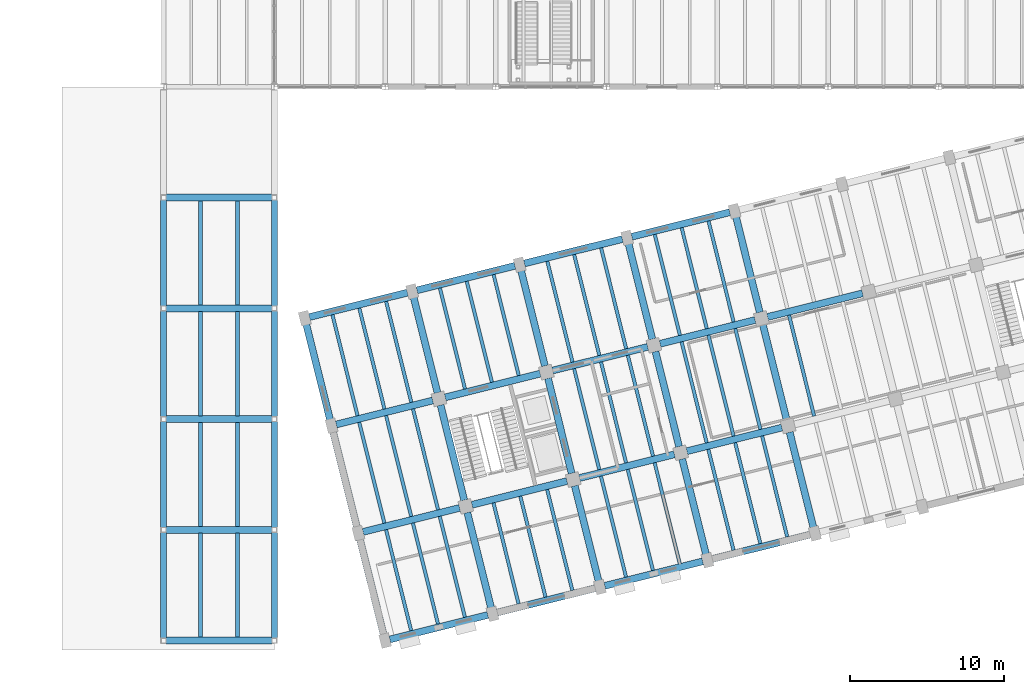
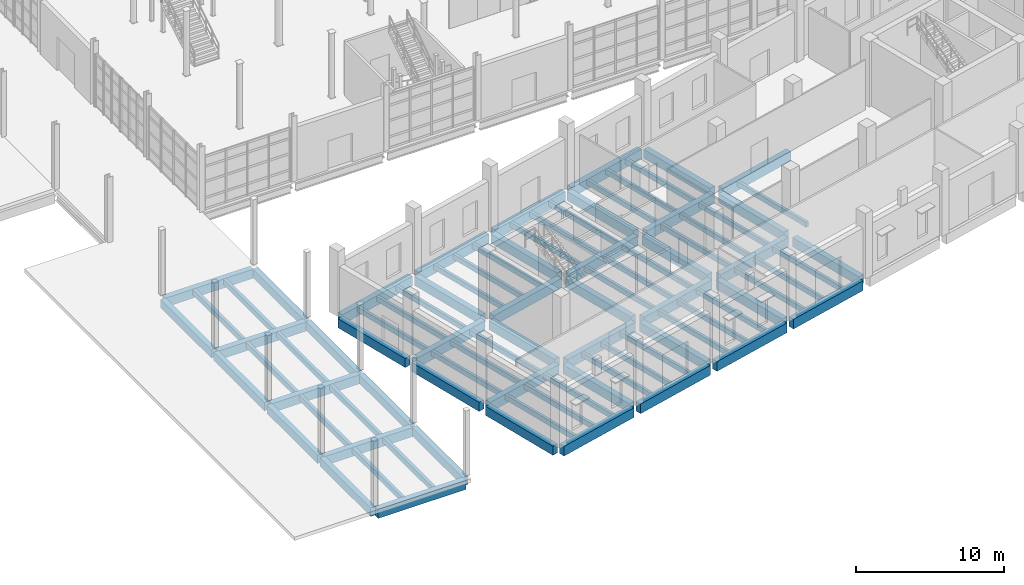
# One storey, part 18 of 79: 87 beams.
"""IFC4 building model written with IfcOpenShell, lengths in metres."""

from ifc_helpers import new_model, si_unit, direction, frame, origin, origin_2d, place, context, subcontext, project, spatial, rectangle, extrude, material, material_profile, profile_set, type_object, element, save


model = new_model("IFC4")

# Units and contexts
model_context = context("Model", 3, precision=1e-05, world=origin(), true_north=direction((0.0, 1.0)))
body_context = subcontext(model_context, "Body", "Model", "MODEL_VIEW")
ifc_project = project(units=[si_unit("LENGTHUNIT", "METRE"), si_unit("AREAUNIT", "SQUARE_METRE"), si_unit("VOLUMEUNIT", "CUBIC_METRE"), si_unit("PLANEANGLEUNIT", "RADIAN"), si_unit("MASSUNIT", "GRAM", prefix="KILO")], contexts=[model_context])

# Site, building, storey
site_placement = place(None, origin())
site = spatial("IfcSite", under=ifc_project, at=site_placement, CompositionType="ELEMENT")
building_placement = place(site_placement, origin())
building = spatial("IfcBuilding", under=site, at=building_placement, Name="Qiaolan Assembly House", CompositionType="ELEMENT")
storey_placement = place(building_placement, origin())
storey = spatial("IfcBuildingStorey", under=building, at=storey_placement, Name="L00", CompositionType="ELEMENT", Elevation=0.0)

# Beams
ifc_material = material(Name="Concrete C40/50", Category="concrete")
ifc_material_profile_1 = material_profile(ifc_material, rectangle(XDim=0.39990234375, YDim=0.699951171875, at=origin_2d()), Name="RCB 400x700")
ifc_profile_set_1 = profile_set([ifc_material_profile_1], Name="Concrete C40/50")
beam_type_1 = type_object("IfcBeamType", Name="BM-RC-400x700", PredefinedType="BEAM", material=ifc_profile_set_1)
beam_1_placement = place(storey_placement, frame((21.60009765625, 0.1650390625, -0.64990234375), z_axis=(0.0, 1.0, 0.0), x_axis=(-1.0, 0.0, 0.0)))
element("IfcBeam", 1, at=beam_1_placement, inside=storey, type_object=beam_type_1, Name="GB-05 beam BMY-PS-L00-00-00", PredefinedType="BEAM", context=body_context, shape_type="SweptSolid", body=[
    extrude(rectangle(XDim=0.39990234375, YDim=0.699951171875, at=origin_2d()), origin(), (0.0, 0.0, 1.0), 6.869873046875),
])
for number, where, z_axis, x_axis, name in (
    (2, (21.60009765625, 7.364990234375, -0.64990234375), (0.0, 1.0, 0.0), (-1.0, 0.0, 0.0), "GB-05 beam BMY-PS-L00-00-01"),
    (3, (21.60009765625, 14.56494140625, -0.64990234375), (0.0, 1.0, 0.0), (-1.0, 0.0, 0.0), "GB-05 beam BMY-PS-L00-00-02"),
    (4, (21.60009765625, 21.764892578125, -0.64990234375), (0.0, 1.0, 0.0), (-1.0, 0.0, 0.0), "GB-05 beam BMY-PS-L00-00-03"),
):
    element("IfcBeam", number, at=place(storey_placement, frame(where, z_axis=z_axis, x_axis=x_axis)), inside=storey, type_object=beam_type_1, Name=name, PredefinedType="BEAM", context=body_context, shape_type="SweptSolid", body=[
        extrude(rectangle(XDim=0.39990234375, YDim=0.699951171875, at=origin_2d()), origin(), (0.0, 0.0, 1.0), 6.8701171875),
    ])
beam_2_placement = place(storey_placement, frame((28.800048828125, 0.1650390625, -0.64990234375), z_axis=(0.0, 1.0, 0.0), x_axis=(-1.0, 0.0, 0.0)))
element("IfcBeam", 5, at=beam_2_placement, inside=storey, type_object=beam_type_1, Name="GB-05 beam BMY-PS-L00-01-00", PredefinedType="BEAM", context=body_context, shape_type="SweptSolid", body=[
    extrude(rectangle(XDim=0.39990234375, YDim=0.699951171875, at=origin_2d()), origin(), (0.0, 0.0, 1.0), 6.869873046875),
])
for number, where, z_axis, x_axis, name in (
    (6, (28.800048828125, 7.364990234375, -0.64990234375), (0.0, 1.0, 0.0), (-1.0, 0.0, 0.0), "GB-05 beam BMY-PS-L00-01-01"),
    (7, (28.800048828125, 14.56494140625, -0.64990234375), (0.0, 1.0, 0.0), (-1.0, 0.0, 0.0), "GB-05 beam BMY-PS-L00-01-02"),
    (8, (28.800048828125, 21.764892578125, -0.64990234375), (0.0, 1.0, 0.0), (-1.0, 0.0, 0.0), "GB-05 beam BMY-PS-L00-01-03"),
):
    element("IfcBeam", number, at=place(storey_placement, frame(where, z_axis=z_axis, x_axis=x_axis)), inside=storey, type_object=beam_type_1, Name=name, PredefinedType="BEAM", context=body_context, shape_type="SweptSolid", body=[
        extrude(rectangle(XDim=0.39990234375, YDim=0.699951171875, at=origin_2d()), origin(), (0.0, 0.0, 1.0), 6.8701171875),
    ])
ifc_material_profile_2 = material_profile(ifc_material, rectangle(XDim=0.449951171875, YDim=0.75, at=origin_2d()), Name="RCB 450x750")
ifc_profile_set_2 = profile_set([ifc_material_profile_2], Name="Concrete C40/50")
beam_type_2 = type_object("IfcBeamType", Name="BM-RC-450x750", PredefinedType="BEAM", material=ifc_profile_set_2)
for number, where, z_axis, x_axis, name in (
    (9, (35.923828125, 0.3056640625, -0.625), (-0.24191477664, 0.970297501204, 0.0), (-0.970297501204, -0.24191477664, 0.0), "GB-04 beam BMV-SE-L00-00-00"),
    (10, (34.181884765625, 7.291748046875, -0.625), (-0.24191477664, 0.970297501204, 0.0), (-0.970297501204, -0.24191477664, 0.0), "GB-04 beam BMV-SE-L00-00-01"),
):
    element("IfcBeam", number, at=place(storey_placement, frame(where, z_axis=z_axis, x_axis=x_axis)), inside=storey, type_object=beam_type_2, Name=name, PredefinedType="BEAM", context=body_context, shape_type="SweptSolid", body=[
        extrude(rectangle(XDim=0.449951171875, YDim=0.75, at=origin_2d()), origin(), (0.0, 0.0, 1.0), 6.56982421875),
    ])
beam_3_placement = place(storey_placement, frame((32.440185546875, 14.27783203125, -0.625), z_axis=(-0.241941038466, 0.970290953223, 0.0), x_axis=(-0.970290953223, -0.241941038466, 0.0)))
element("IfcBeam", 11, at=beam_3_placement, inside=storey, type_object=beam_type_2, Name="GB-04 beam BMV-SE-L00-00-02", PredefinedType="BEAM", context=body_context, shape_type="SweptSolid", body=[
    extrude(rectangle(XDim=0.449951171875, YDim=0.75, at=origin_2d()), origin(), (0.0, 0.0, 1.0), 6.5703125),
])
beam_4_placement = place(storey_placement, frame((42.909912109375, 2.04736328125, -0.625), z_axis=(-0.241914070503, 0.970297677258, 0.0), x_axis=(-0.970297677258, -0.241914070503, 0.0)))
element("IfcBeam", 12, at=beam_4_placement, inside=storey, type_object=beam_type_2, Name="GB-04 beam BMV-SE-L00-01-00", PredefinedType="BEAM", context=body_context, shape_type="SweptSolid", body=[
    extrude(rectangle(XDim=0.449951171875, YDim=0.75, at=origin_2d()), origin(), (0.0, 0.0, 1.0), 6.469970703125),
])
beam_5_placement = place(storey_placement, frame((41.143798828125, 9.130615234375, -0.625), z_axis=(-0.241913342219, 0.970297858833, 0.0), x_axis=(-0.970297858833, -0.241913342219, 0.0)))
element("IfcBeam", 13, at=beam_5_placement, inside=storey, type_object=beam_type_2, Name="GB-04 beam BMV-SE-L00-01-01", PredefinedType="BEAM", context=body_context, shape_type="SweptSolid", body=[
    extrude(rectangle(XDim=0.449951171875, YDim=0.75, at=origin_2d()), origin(), (0.0, 0.0, 1.0), 6.3701171875),
])
for number, where, z_axis, x_axis, name in (
    (14, (39.402099609375, 16.11669921875, -0.625), (-0.241914070503, 0.970297677258, 0.0), (-0.970297677258, -0.241914070503, 0.0), "GB-04 beam BMV-SE-L00-01-02"),
    (15, (49.89599609375, 3.789306640625, -0.625), (-0.241914070503, 0.970297677258, 0.0), (-0.970297677258, -0.241914070503, 0.0), "GB-04 beam BMV-SE-L00-02-00"),
):
    element("IfcBeam", number, at=place(storey_placement, frame(where, z_axis=z_axis, x_axis=x_axis)), inside=storey, type_object=beam_type_2, Name=name, PredefinedType="BEAM", context=body_context, shape_type="SweptSolid", body=[
        extrude(rectangle(XDim=0.449951171875, YDim=0.75, at=origin_2d()), origin(), (0.0, 0.0, 1.0), 6.469970703125),
    ])
beam_6_placement = place(storey_placement, frame((48.130126953125, 10.87255859375, -0.625), z_axis=(-0.241958422416, 0.970286618388, 0.0), x_axis=(-0.970286618388, -0.241958422416, 0.0)))
element("IfcBeam", 16, at=beam_6_placement, inside=storey, type_object=beam_type_2, Name="GB-04 beam BMV-SE-L00-02-01", PredefinedType="BEAM", context=body_context, shape_type="SweptSolid", body=[
    extrude(rectangle(XDim=0.449951171875, YDim=0.75, at=origin_2d()), origin(), (0.0, 0.0, 1.0), 6.369873046875),
])
for number, where, z_axis, x_axis, name in (
    (17, (46.38818359375, 17.858642578125, -0.625), (-0.241914070503, 0.970297677258, 0.0), (-0.970297677258, -0.241914070503, 0.0), "GB-04 beam BMV-SE-L00-02-02"),
    (18, (56.882080078125, 5.53125, -0.625), (-0.241914070503, 0.970297677258, 0.0), (-0.970297677258, -0.241914070503, 0.0), "GB-04 beam BMV-SE-L00-03-00"),
):
    element("IfcBeam", number, at=place(storey_placement, frame(where, z_axis=z_axis, x_axis=x_axis)), inside=storey, type_object=beam_type_2, Name=name, PredefinedType="BEAM", context=body_context, shape_type="SweptSolid", body=[
        extrude(rectangle(XDim=0.449951171875, YDim=0.75, at=origin_2d()), origin(), (0.0, 0.0, 1.0), 6.469970703125),
    ])
beam_7_placement = place(storey_placement, frame((55.1162109375, 12.6142578125, -0.625), z_axis=(-0.241913342219, 0.970297858833, 0.0), x_axis=(-0.970297858833, -0.241913342219, 0.0)))
element("IfcBeam", 19, at=beam_7_placement, inside=storey, type_object=beam_type_2, Name="GB-04 beam BMV-SE-L00-03-01", PredefinedType="BEAM", context=body_context, shape_type="SweptSolid", body=[
    extrude(rectangle(XDim=0.449951171875, YDim=0.75, at=origin_2d()), origin(), (0.0, 0.0, 1.0), 6.3701171875),
])
for number, where, z_axis, x_axis, name in (
    (20, (53.374267578125, 19.600341796875, -0.625), (-0.241914070503, 0.970297677258, 0.0), (-0.970297677258, -0.241914070503, 0.0), "GB-04 beam BMV-SE-L00-03-02"),
    (21, (63.868408203125, 7.27294921875, -0.625), (-0.241949595936, 0.970288819386, 0.0), (-0.970288819386, -0.241949595936, 0.0), "GB-04 beam BMV-SE-L00-04-00"),
):
    element("IfcBeam", number, at=place(storey_placement, frame(where, z_axis=z_axis, x_axis=x_axis)), inside=storey, type_object=beam_type_2, Name=name, PredefinedType="BEAM", context=body_context, shape_type="SweptSolid", body=[
        extrude(rectangle(XDim=0.449951171875, YDim=0.75, at=origin_2d()), origin(), (0.0, 0.0, 1.0), 6.469970703125),
    ])
beam_8_placement = place(storey_placement, frame((62.102294921875, 14.356201171875, -0.625), z_axis=(-0.241922338715, 0.970295615795, 0.0), x_axis=(-0.970295615795, -0.241922338715, 0.0)))
element("IfcBeam", 22, at=beam_8_placement, inside=storey, type_object=beam_type_2, Name="GB-04 beam BMV-SE-L00-04-01", PredefinedType="BEAM", context=body_context, shape_type="SweptSolid", body=[
    extrude(rectangle(XDim=0.449951171875, YDim=0.75, at=origin_2d()), origin(), (0.0, 0.0, 1.0), 6.369873046875),
])
beam_9_placement = place(storey_placement, frame((60.3603515625, 21.34228515625, -0.625), z_axis=(-0.241914070503, 0.970297677258, 0.0), x_axis=(-0.970297677258, -0.241914070503, 0.0)))
element("IfcBeam", 23, at=beam_9_placement, inside=storey, type_object=beam_type_2, Name="GB-04 beam BMV-SE-L00-04-02", PredefinedType="BEAM", context=body_context, shape_type="SweptSolid", body=[
    extrude(rectangle(XDim=0.449951171875, YDim=0.75, at=origin_2d()), origin(), (0.0, 0.0, 1.0), 6.469970703125),
])
for number, where, z_axis, x_axis, name in (
    (24, (21.764892578125, 0.0, -0.675048828125), (1.0, 0.0, 0.0), (0.0, 1.0, 0.0), "GB-04 beam BMX-PS-L00-00-00"),
    (25, (21.764892578125, 7.199951171875, -0.675048828125), (1.0, 0.0, 0.0), (0.0, 1.0, 0.0), "GB-04 beam BMX-PS-L00-00-01"),
    (26, (21.764892578125, 14.39990234375, -0.675048828125), (1.0, 0.0, 0.0), (0.0, 1.0, 0.0), "GB-04 beam BMX-PS-L00-00-02"),
    (27, (21.764892578125, 21.60009765625, -0.675048828125), (1.0, 0.0, 0.0), (0.0, 1.0, 0.0), "GB-04 beam BMX-PS-L00-00-03"),
    (28, (21.764892578125, 28.800048828125, -0.675048828125), (1.0, 0.0, 0.0), (0.0, 1.0, 0.0), "GB-04 beam BMX-PS-L00-00-04"),
):
    element("IfcBeam", number, at=place(storey_placement, frame(where, z_axis=z_axis, x_axis=x_axis)), inside=storey, type_object=beam_type_2, Name=name, PredefinedType="BEAM", context=body_context, shape_type="SweptSolid", body=[
        extrude(rectangle(XDim=0.449951171875, YDim=0.75, at=origin_2d()), origin(), (0.0, 0.0, 1.0), 6.8701171875),
    ])
ifc_material_profile_3 = material_profile(ifc_material, rectangle(XDim=0.449951171875, YDim=0.800048828125, at=origin_2d()), Name="RCB 450x800")
ifc_profile_set_3 = profile_set([ifc_material_profile_3], Name="Concrete C40/50")
beam_type_3 = type_object("IfcBeamType", Name="BM-RC-450x800", PredefinedType="BEAM", material=ifc_profile_set_3)
for number, where, z_axis, x_axis, name in (
    (29, (36.3056640625, 0.076171875, -0.64990234375), (0.970297501204, 0.24191477664, 0.0), (-0.24191477664, 0.970297501204, 0.0), "GB-03 beam BMU-SE-L00-00-00"),
    (30, (43.291748046875, 1.818115234375, -0.64990234375), (0.970297501204, 0.24191477664, 0.0), (-0.24191477664, 0.970297501204, 0.0), "GB-03 beam BMU-SE-L00-01-00"),
):
    element("IfcBeam", number, at=place(storey_placement, frame(where, z_axis=z_axis, x_axis=x_axis)), inside=storey, type_object=beam_type_3, Name=name, PredefinedType="BEAM", context=body_context, shape_type="SweptSolid", body=[
        extrude(rectangle(XDim=0.449951171875, YDim=0.800048828125, at=origin_2d()), origin(), (0.0, 0.0, 1.0), 6.56982421875),
    ])
beam_10_placement = place(storey_placement, frame((50.27783203125, 3.559814453125, -0.64990234375), z_axis=(0.970290953223, 0.241941038466, 0.0), x_axis=(-0.241941038466, 0.970290953223, 0.0)))
element("IfcBeam", 31, at=beam_10_placement, inside=storey, type_object=beam_type_3, Name="GB-03 beam BMU-SE-L00-02-00", PredefinedType="BEAM", context=body_context, shape_type="SweptSolid", body=[
    extrude(rectangle(XDim=0.449951171875, YDim=0.800048828125, at=origin_2d()), origin(), (0.0, 0.0, 1.0), 6.5703125),
])
beam_11_placement = place(storey_placement, frame((57.263916015625, 5.3017578125, -0.64990234375), z_axis=(0.970299675821, 0.241906054289, 0.0), x_axis=(-0.241906054289, 0.970299675821, 0.0)))
element("IfcBeam", 32, at=beam_11_placement, inside=storey, type_object=beam_type_3, Name="GB-03 beam BMU-SE-L00-03-00", PredefinedType="BEAM", context=body_context, shape_type="SweptSolid", body=[
    extrude(rectangle(XDim=0.449951171875, YDim=0.800048828125, at=origin_2d()), origin(), (0.0, 0.0, 1.0), 6.570068359375),
])
beam_12_placement = place(storey_placement, frame((34.563720703125, 7.062255859375, -0.64990234375), z_axis=(0.970288819386, 0.241949595936, 0.0), x_axis=(-0.241949595936, 0.970288819386, 0.0)))
element("IfcBeam", 33, at=beam_12_placement, inside=storey, type_object=beam_type_3, Name="GB-03 beam BMU-SE-L00-00-01", PredefinedType="BEAM", context=body_context, shape_type="SweptSolid", body=[
    extrude(rectangle(XDim=0.449951171875, YDim=0.800048828125, at=origin_2d()), origin(), (0.0, 0.0, 1.0), 6.469970703125),
])
beam_13_placement = place(storey_placement, frame((41.64697265625, 8.828369140625, -0.64990234375), z_axis=(0.970295615795, 0.241922338715, 0.0), x_axis=(-0.241922338715, 0.970295615795, 0.0)))
element("IfcBeam", 34, at=beam_13_placement, inside=storey, type_object=beam_type_3, Name="GB-03 beam BMU-SE-L00-01-01", PredefinedType="BEAM", context=body_context, shape_type="SweptSolid", body=[
    extrude(rectangle(XDim=0.449951171875, YDim=0.800048828125, at=origin_2d()), origin(), (0.0, 0.0, 1.0), 6.369873046875),
])
for number, where, z_axis, x_axis, name in (
    (35, (48.633056640625, 10.5703125, -0.64990234375), (0.970297858833, 0.241913342219, 0.0), (-0.241913342219, 0.970297858833, 0.0), "GB-03 beam BMU-SE-L00-02-01"),
    (36, (55.619140625, 12.31201171875, -0.64990234375), (0.970297858833, 0.241913342219, 0.0), (-0.241913342219, 0.970297858833, 0.0), "GB-03 beam BMU-SE-L00-03-01"),
):
    element("IfcBeam", number, at=place(storey_placement, frame(where, z_axis=z_axis, x_axis=x_axis)), inside=storey, type_object=beam_type_3, Name=name, PredefinedType="BEAM", context=body_context, shape_type="SweptSolid", body=[
        extrude(rectangle(XDim=0.449951171875, YDim=0.800048828125, at=origin_2d()), origin(), (0.0, 0.0, 1.0), 6.3701171875),
    ])
beam_14_placement = place(storey_placement, frame((32.822021484375, 14.048583984375, -0.64990234375), z_axis=(0.970297677258, 0.241914070503, 0.0), x_axis=(-0.241914070503, 0.970297677258, 0.0)))
element("IfcBeam", 37, at=beam_14_placement, inside=storey, type_object=beam_type_3, Name="GB-03 beam BMU-SE-L00-00-02", PredefinedType="BEAM", context=body_context, shape_type="SweptSolid", body=[
    extrude(rectangle(XDim=0.449951171875, YDim=0.800048828125, at=origin_2d()), origin(), (0.0, 0.0, 1.0), 6.469970703125),
])
beam_15_placement = place(storey_placement, frame((39.905029296875, 15.814453125, -0.64990234375), z_axis=(0.970297858833, 0.241913342219, 0.0), x_axis=(-0.241913342219, 0.970297858833, 0.0)))
element("IfcBeam", 38, at=beam_15_placement, inside=storey, type_object=beam_type_3, Name="GB-03 beam BMU-SE-L00-01-02", PredefinedType="BEAM", context=body_context, shape_type="SweptSolid", body=[
    extrude(rectangle(XDim=0.449951171875, YDim=0.800048828125, at=origin_2d()), origin(), (0.0, 0.0, 1.0), 6.3701171875),
])
for number, where, z_axis, x_axis, name in (
    (39, (46.891357421875, 17.556396484375, -0.64990234375), (0.970295615795, 0.241922338715, 0.0), (-0.241922338715, 0.970295615795, 0.0), "GB-03 beam BMU-SE-L00-02-02"),
    (40, (53.87744140625, 19.298095703125, -0.64990234375), (0.970295615795, 0.241922338715, 0.0), (-0.241922338715, 0.970295615795, 0.0), "GB-03 beam BMU-SE-L00-03-02"),
    (41, (60.863525390625, 21.0400390625, -0.64990234375), (0.970295615795, 0.241922338715, 0.0), (-0.241922338715, 0.970295615795, 0.0), "GB-03 beam BMU-SE-L00-04-02"),
):
    element("IfcBeam", number, at=place(storey_placement, frame(where, z_axis=z_axis, x_axis=x_axis)), inside=storey, type_object=beam_type_3, Name=name, PredefinedType="BEAM", context=body_context, shape_type="SweptSolid", body=[
        extrude(rectangle(XDim=0.449951171875, YDim=0.800048828125, at=origin_2d()), origin(), (0.0, 0.0, 1.0), 6.369873046875),
    ])
beam_16_placement = place(storey_placement, frame((31.080078125, 21.03466796875, -0.64990234375), z_axis=(0.970299675821, 0.241906054289, 0.0), x_axis=(-0.241906054289, 0.970299675821, 0.0)))
element("IfcBeam", 42, at=beam_16_placement, inside=storey, type_object=beam_type_3, Name="GB-03 beam BMU-SE-L00-00-03", PredefinedType="BEAM", context=body_context, shape_type="SweptSolid", body=[
    extrude(rectangle(XDim=0.449951171875, YDim=0.800048828125, at=origin_2d()), origin(), (0.0, 0.0, 1.0), 6.570068359375),
])
beam_17_placement = place(storey_placement, frame((38.066162109375, 22.7763671875, -0.64990234375), z_axis=(0.970290953223, 0.241941038466, 0.0), x_axis=(-0.241941038466, 0.970290953223, 0.0)))
element("IfcBeam", 43, at=beam_17_placement, inside=storey, type_object=beam_type_3, Name="GB-03 beam BMU-SE-L00-01-03", PredefinedType="BEAM", context=body_context, shape_type="SweptSolid", body=[
    extrude(rectangle(XDim=0.449951171875, YDim=0.800048828125, at=origin_2d()), origin(), (0.0, 0.0, 1.0), 6.5703125),
])
beam_18_placement = place(storey_placement, frame((45.052490234375, 24.518310546875, -0.64990234375), z_axis=(0.970297501204, 0.24191477664, 0.0), x_axis=(-0.24191477664, 0.970297501204, 0.0)))
element("IfcBeam", 44, at=beam_18_placement, inside=storey, type_object=beam_type_3, Name="GB-03 beam BMU-SE-L00-02-03", PredefinedType="BEAM", context=body_context, shape_type="SweptSolid", body=[
    extrude(rectangle(XDim=0.449951171875, YDim=0.800048828125, at=origin_2d()), origin(), (0.0, 0.0, 1.0), 6.56982421875),
])
beam_19_placement = place(storey_placement, frame((52.03857421875, 26.260009765625, -0.64990234375), z_axis=(0.970288777997, 0.241949761922, 0.0), x_axis=(-0.241949761922, 0.970288777997, 0.0)))
element("IfcBeam", 45, at=beam_19_placement, inside=storey, type_object=beam_type_3, Name="GB-03 beam BMU-SE-L00-03-03", PredefinedType="BEAM", context=body_context, shape_type="SweptSolid", body=[
    extrude(rectangle(XDim=0.449951171875, YDim=0.800048828125, at=origin_2d()), origin(), (0.0, 0.0, 1.0), 6.570068359375),
])
ifc_material_profile_4 = material_profile(ifc_material, rectangle(XDim=0.219970703125, YDim=0.419921875, at=origin_2d()), Name="RCB 220x420")
ifc_profile_set_4 = profile_set([ifc_material_profile_4], Name="Concrete C40/50")
beam_type_4 = type_object("IfcBeamType", Name="JST-RC-220x420", PredefinedType="JOIST", material=ifc_profile_set_4)
for number, where, z_axis, x_axis, name in (
    (46, (37.693603515625, 0.64794921875, -0.4599609375), (-0.241940905686, 0.970290986331, 0.0), (-0.970290986331, -0.241940905686, 0.0), "RJ-03 beam JST-SE-L00-00-00-1"),
    (47, (39.440185546875, 1.08349609375, -0.4599609375), (-0.241940905686, 0.970290986331, 0.0), (-0.970290986331, -0.241940905686, 0.0), "RJ-03 beam JST-SE-L00-00-00-2"),
):
    element("IfcBeam", number, at=place(storey_placement, frame(where, z_axis=z_axis, x_axis=x_axis)), inside=storey, type_object=beam_type_4, Name=name, PredefinedType="JOIST", context=body_context, shape_type="SweptSolid", body=[
        extrude(rectangle(XDim=0.219970703125, YDim=0.419921875, at=origin_2d()), origin(), (0.0, 0.0, 1.0), 6.761962890625),
    ])
for number, where, z_axis, x_axis, name in (
    (48, (41.1865234375, 1.518798828125, -0.4599609375), (-0.241898439004, 0.970301574361, 0.0), (-0.970301574361, -0.241898439004, 0.0), "RJ-03 beam JST-SE-L00-00-00-3"),
    (49, (35.95166015625, 7.634033203125, -0.4599609375), (-0.241898439004, 0.970301574361, 0.0), (-0.970301574361, -0.241898439004, 0.0), "RJ-03 beam JST-SE-L00-00-01-1"),
):
    element("IfcBeam", number, at=place(storey_placement, frame(where, z_axis=z_axis, x_axis=x_axis)), inside=storey, type_object=beam_type_4, Name=name, PredefinedType="JOIST", context=body_context, shape_type="SweptSolid", body=[
        extrude(rectangle(XDim=0.219970703125, YDim=0.419921875, at=origin_2d()), origin(), (0.0, 0.0, 1.0), 6.76220703125),
    ])
beam_20_placement = place(storey_placement, frame((37.6982421875, 8.069580078125, -0.4599609375), z_axis=(-0.241940905686, 0.970290986331, 0.0), x_axis=(-0.970290986331, -0.241940905686, 0.0)))
element("IfcBeam", 50, at=beam_20_placement, inside=storey, type_object=beam_type_4, Name="RJ-03 beam JST-SE-L00-00-01-2", PredefinedType="JOIST", context=body_context, shape_type="SweptSolid", body=[
    extrude(rectangle(XDim=0.219970703125, YDim=0.419921875, at=origin_2d()), origin(), (0.0, 0.0, 1.0), 6.761962890625),
])
for number, where, z_axis, x_axis, name in (
    (51, (39.44482421875, 8.5048828125, -0.4599609375), (-0.241932430168, 0.970293099652, 0.0), (-0.970293099652, -0.241932430168, 0.0), "RJ-03 beam JST-SE-L00-00-01-3"),
    (52, (34.2099609375, 14.6201171875, -0.4599609375), (-0.241932430168, 0.970293099652, 0.0), (-0.970293099652, -0.241932430168, 0.0), "RJ-03 beam JST-SE-L00-00-02-1"),
):
    element("IfcBeam", number, at=place(storey_placement, frame(where, z_axis=z_axis, x_axis=x_axis)), inside=storey, type_object=beam_type_4, Name=name, PredefinedType="JOIST", context=body_context, shape_type="SweptSolid", body=[
        extrude(rectangle(XDim=0.219970703125, YDim=0.419921875, at=origin_2d()), origin(), (0.0, 0.0, 1.0), 6.76220703125),
    ])
for number, where, z_axis, x_axis, name in (
    (53, (35.956298828125, 15.0556640625, -0.4599609375), (-0.241906913479, 0.970299461615, 0.0), (-0.970299461615, -0.241906913479, 0.0), "RJ-03 beam JST-SE-L00-00-02-2"),
    (54, (37.702880859375, 15.4912109375, -0.4599609375), (-0.241906913479, 0.970299461615, 0.0), (-0.970299461615, -0.241906913479, 0.0), "RJ-03 beam JST-SE-L00-00-02-3"),
    (55, (44.6796875, 2.389892578125, -0.4599609375), (-0.241940905686, 0.970290986331, 0.0), (-0.970290986331, -0.241940905686, 0.0), "RJ-03 beam JST-SE-L00-01-00-1"),
):
    element("IfcBeam", number, at=place(storey_placement, frame(where, z_axis=z_axis, x_axis=x_axis)), inside=storey, type_object=beam_type_4, Name=name, PredefinedType="JOIST", context=body_context, shape_type="SweptSolid", body=[
        extrude(rectangle(XDim=0.219970703125, YDim=0.419921875, at=origin_2d()), origin(), (0.0, 0.0, 1.0), 6.761962890625),
    ])
beam_21_placement = place(storey_placement, frame((46.42626953125, 2.8251953125, -0.4599609375), z_axis=(-0.241932430168, 0.970293099652, 0.0), x_axis=(-0.970293099652, -0.241932430168, 0.0)))
element("IfcBeam", 56, at=beam_21_placement, inside=storey, type_object=beam_type_4, Name="RJ-03 beam JST-SE-L00-01-00-2", PredefinedType="JOIST", context=body_context, shape_type="SweptSolid", body=[
    extrude(rectangle(XDim=0.219970703125, YDim=0.419921875, at=origin_2d()), origin(), (0.0, 0.0, 1.0), 6.76220703125),
])
for number, where, z_axis, x_axis, name in (
    (57, (48.1728515625, 3.2607421875, -0.4599609375), (-0.241940905686, 0.970290986331, 0.0), (-0.970290986331, -0.241940905686, 0.0), "RJ-03 beam JST-SE-L00-01-00-3"),
    (58, (41.196044921875, 16.362060546875, -0.4599609375), (-0.241940905686, 0.970290986331, 0.0), (-0.970290986331, -0.241940905686, 0.0), "RJ-03 beam JST-SE-L00-01-02-1"),
    (59, (42.942626953125, 16.797607421875, -0.4599609375), (-0.241940905686, 0.970290986331, 0.0), (-0.970290986331, -0.241940905686, 0.0), "RJ-03 beam JST-SE-L00-01-02-2"),
):
    element("IfcBeam", number, at=place(storey_placement, frame(where, z_axis=z_axis, x_axis=x_axis)), inside=storey, type_object=beam_type_4, Name=name, PredefinedType="JOIST", context=body_context, shape_type="SweptSolid", body=[
        extrude(rectangle(XDim=0.219970703125, YDim=0.419921875, at=origin_2d()), origin(), (0.0, 0.0, 1.0), 6.761962890625),
    ])
for number, where, z_axis, x_axis, name in (
    (60, (44.68896484375, 17.23291015625, -0.4599609375), (-0.241898439004, 0.970301574361, 0.0), (-0.970301574361, -0.241898439004, 0.0), "RJ-03 beam JST-SE-L00-01-02-3"),
    (61, (51.665771484375, 4.131591796875, -0.4599609375), (-0.241898439004, 0.970301574361, 0.0), (-0.970301574361, -0.241898439004, 0.0), "RJ-03 beam JST-SE-L00-02-00-1"),
):
    element("IfcBeam", number, at=place(storey_placement, frame(where, z_axis=z_axis, x_axis=x_axis)), inside=storey, type_object=beam_type_4, Name=name, PredefinedType="JOIST", context=body_context, shape_type="SweptSolid", body=[
        extrude(rectangle(XDim=0.219970703125, YDim=0.419921875, at=origin_2d()), origin(), (0.0, 0.0, 1.0), 6.76220703125),
    ])
beam_22_placement = place(storey_placement, frame((53.412353515625, 4.567138671875, -0.4599609375), z_axis=(-0.241940905686, 0.970290986331, 0.0), x_axis=(-0.970290986331, -0.241940905686, 0.0)))
element("IfcBeam", 62, at=beam_22_placement, inside=storey, type_object=beam_type_4, Name="RJ-03 beam JST-SE-L00-02-00-2", PredefinedType="JOIST", context=body_context, shape_type="SweptSolid", body=[
    extrude(rectangle(XDim=0.219970703125, YDim=0.419921875, at=origin_2d()), origin(), (0.0, 0.0, 1.0), 6.761962890625),
])
for number, where, z_axis, x_axis, name in (
    (63, (55.158935546875, 5.00244140625, -0.4599609375), (-0.241932430168, 0.970293099652, 0.0), (-0.970293099652, -0.241932430168, 0.0), "RJ-03 beam JST-SE-L00-02-00-3"),
    (64, (49.924072265625, 11.11767578125, -0.4599609375), (-0.241932430168, 0.970293099652, 0.0), (-0.970293099652, -0.241932430168, 0.0), "RJ-03 beam JST-SE-L00-02-01-1"),
):
    element("IfcBeam", number, at=place(storey_placement, frame(where, z_axis=z_axis, x_axis=x_axis)), inside=storey, type_object=beam_type_4, Name=name, PredefinedType="JOIST", context=body_context, shape_type="SweptSolid", body=[
        extrude(rectangle(XDim=0.219970703125, YDim=0.419921875, at=origin_2d()), origin(), (0.0, 0.0, 1.0), 6.76220703125),
    ])
for number, where, z_axis, x_axis, name in (
    (65, (51.67041015625, 11.55322265625, -0.4599609375), (-0.241906913479, 0.970299461615, 0.0), (-0.970299461615, -0.241906913479, 0.0), "RJ-03 beam JST-SE-L00-02-01-2"),
    (66, (53.4169921875, 11.98876953125, -0.4599609375), (-0.241906913479, 0.970299461615, 0.0), (-0.970299461615, -0.241906913479, 0.0), "RJ-03 beam JST-SE-L00-02-01-3"),
    (67, (48.18212890625, 18.10400390625, -0.4599609375), (-0.241940905686, 0.970290986331, 0.0), (-0.970290986331, -0.241940905686, 0.0), "RJ-03 beam JST-SE-L00-02-02-1"),
):
    element("IfcBeam", number, at=place(storey_placement, frame(where, z_axis=z_axis, x_axis=x_axis)), inside=storey, type_object=beam_type_4, Name=name, PredefinedType="JOIST", context=body_context, shape_type="SweptSolid", body=[
        extrude(rectangle(XDim=0.219970703125, YDim=0.419921875, at=origin_2d()), origin(), (0.0, 0.0, 1.0), 6.761962890625),
    ])
beam_23_placement = place(storey_placement, frame((49.9287109375, 18.539306640625, -0.4599609375), z_axis=(-0.241932430168, 0.970293099652, 0.0), x_axis=(-0.970293099652, -0.241932430168, 0.0)))
element("IfcBeam", 68, at=beam_23_placement, inside=storey, type_object=beam_type_4, Name="RJ-03 beam JST-SE-L00-02-02-2", PredefinedType="JOIST", context=body_context, shape_type="SweptSolid", body=[
    extrude(rectangle(XDim=0.219970703125, YDim=0.419921875, at=origin_2d()), origin(), (0.0, 0.0, 1.0), 6.76220703125),
])
for number, where, z_axis, x_axis, name in (
    (69, (51.67529296875, 18.974853515625, -0.4599609375), (-0.241940905686, 0.970290986331, 0.0), (-0.970290986331, -0.241940905686, 0.0), "RJ-03 beam JST-SE-L00-02-02-3"),
    (70, (58.65185546875, 5.87353515625, -0.4599609375), (-0.241906913479, 0.970299461615, 0.0), (-0.970299461615, -0.241906913479, 0.0), "RJ-03 beam JST-SE-L00-03-00-1"),
):
    element("IfcBeam", number, at=place(storey_placement, frame(where, z_axis=z_axis, x_axis=x_axis)), inside=storey, type_object=beam_type_4, Name=name, PredefinedType="JOIST", context=body_context, shape_type="SweptSolid", body=[
        extrude(rectangle(XDim=0.219970703125, YDim=0.419921875, at=origin_2d()), origin(), (0.0, 0.0, 1.0), 6.761962890625),
    ])
beam_24_placement = place(storey_placement, frame((60.3984375, 6.308837890625, -0.4599609375), z_axis=(-0.241898439004, 0.970301574361, 0.0), x_axis=(-0.970301574361, -0.241898439004, 0.0)))
element("IfcBeam", 71, at=beam_24_placement, inside=storey, type_object=beam_type_4, Name="RJ-03 beam JST-SE-L00-03-00-2", PredefinedType="JOIST", context=body_context, shape_type="SweptSolid", body=[
    extrude(rectangle(XDim=0.219970703125, YDim=0.419921875, at=origin_2d()), origin(), (0.0, 0.0, 1.0), 6.76220703125),
])
for number, where, z_axis, x_axis, name in (
    (72, (62.14501953125, 6.744384765625, -0.4599609375), (-0.241940905686, 0.970290986331, 0.0), (-0.970290986331, -0.241940905686, 0.0), "RJ-03 beam JST-SE-L00-03-00-3"),
    (73, (56.91015625, 12.859619140625, -0.4599609375), (-0.241940905686, 0.970290986331, 0.0), (-0.970290986331, -0.241940905686, 0.0), "RJ-03 beam JST-SE-L00-03-01-1"),
    (74, (58.65673828125, 13.295166015625, -0.4599609375), (-0.241940905686, 0.970290986331, 0.0), (-0.970290986331, -0.241940905686, 0.0), "RJ-03 beam JST-SE-L00-03-01-2"),
):
    element("IfcBeam", number, at=place(storey_placement, frame(where, z_axis=z_axis, x_axis=x_axis)), inside=storey, type_object=beam_type_4, Name=name, PredefinedType="JOIST", context=body_context, shape_type="SweptSolid", body=[
        extrude(rectangle(XDim=0.219970703125, YDim=0.419921875, at=origin_2d()), origin(), (0.0, 0.0, 1.0), 6.761962890625),
    ])
for number, where, z_axis, x_axis, name in (
    (75, (60.403076171875, 13.73046875, -0.4599609375), (-0.241898439004, 0.970301574361, 0.0), (-0.970301574361, -0.241898439004, 0.0), "RJ-03 beam JST-SE-L00-03-01-3"),
    (76, (55.168212890625, 19.845703125, -0.4599609375), (-0.241898439004, 0.970301574361, 0.0), (-0.970301574361, -0.241898439004, 0.0), "RJ-03 beam JST-SE-L00-03-02-1"),
):
    element("IfcBeam", number, at=place(storey_placement, frame(where, z_axis=z_axis, x_axis=x_axis)), inside=storey, type_object=beam_type_4, Name=name, PredefinedType="JOIST", context=body_context, shape_type="SweptSolid", body=[
        extrude(rectangle(XDim=0.219970703125, YDim=0.419921875, at=origin_2d()), origin(), (0.0, 0.0, 1.0), 6.76220703125),
    ])
beam_25_placement = place(storey_placement, frame((56.914794921875, 20.28125, -0.4599609375), z_axis=(-0.241940905686, 0.970290986331, 0.0), x_axis=(-0.970290986331, -0.241940905686, 0.0)))
element("IfcBeam", 77, at=beam_25_placement, inside=storey, type_object=beam_type_4, Name="RJ-03 beam JST-SE-L00-03-02-2", PredefinedType="JOIST", context=body_context, shape_type="SweptSolid", body=[
    extrude(rectangle(XDim=0.219970703125, YDim=0.419921875, at=origin_2d()), origin(), (0.0, 0.0, 1.0), 6.761962890625),
])
for number, where, z_axis, x_axis, name in (
    (78, (58.661376953125, 20.716552734375, -0.4599609375), (-0.241932430168, 0.970293099652, 0.0), (-0.970293099652, -0.241932430168, 0.0), "RJ-03 beam JST-SE-L00-03-02-3"),
    (79, (63.896240234375, 14.601318359375, -0.4599609375), (-0.241932430168, 0.970293099652, 0.0), (-0.970293099652, -0.241932430168, 0.0), "RJ-03 beam JST-SE-L00-04-01-1"),
):
    element("IfcBeam", number, at=place(storey_placement, frame(where, z_axis=z_axis, x_axis=x_axis)), inside=storey, type_object=beam_type_4, Name=name, PredefinedType="JOIST", context=body_context, shape_type="SweptSolid", body=[
        extrude(rectangle(XDim=0.219970703125, YDim=0.419921875, at=origin_2d()), origin(), (0.0, 0.0, 1.0), 6.76220703125),
    ])
ifc_material_profile_5 = material_profile(ifc_material, rectangle(XDim=0.25, YDim=0.449951171875, at=origin_2d()), Name="RCB 250x450")
ifc_profile_set_5 = profile_set([ifc_material_profile_5], Name="Concrete C40/50")
beam_type_5 = type_object("IfcBeamType", Name="JST-RC-250x450", PredefinedType="JOIST", material=ifc_profile_set_5)
for number, where, z_axis, x_axis, name in (
    (80, (24.0, 0.218994140625, -0.52490234375), (0.0, 1.0, 0.0), (-1.0, 0.0, 0.0), "RJ-02 beam JST-PS-L00-00-00-1"),
    (81, (26.39990234375, 0.218994140625, -0.52490234375), (0.0, 1.0, 0.0), (-1.0, 0.0, 0.0), "RJ-02 beam JST-PS-L00-00-00-2"),
    (82, (24.0, 7.4189453125, -0.52490234375), (0.0, 1.0, 0.0), (-1.0, 0.0, 0.0), "RJ-02 beam JST-PS-L00-00-01-1"),
    (83, (26.39990234375, 7.4189453125, -0.52490234375), (0.0, 1.0, 0.0), (-1.0, 0.0, 0.0), "RJ-02 beam JST-PS-L00-00-01-2"),
):
    element("IfcBeam", number, at=place(storey_placement, frame(where, z_axis=z_axis, x_axis=x_axis)), inside=storey, type_object=beam_type_5, Name=name, PredefinedType="JOIST", context=body_context, shape_type="SweptSolid", body=[
        extrude(rectangle(XDim=0.25, YDim=0.449951171875, at=origin_2d()), origin(), (0.0, 0.0, 1.0), 6.761962890625),
    ])
for number, where, z_axis, x_axis, name in (
    (84, (24.0, 14.618896484375, -0.52490234375), (0.0, 1.0, 0.0), (-1.0, 0.0, 0.0), "RJ-02 beam JST-PS-L00-00-02-1"),
    (85, (26.39990234375, 14.618896484375, -0.52490234375), (0.0, 1.0, 0.0), (-1.0, 0.0, 0.0), "RJ-02 beam JST-PS-L00-00-02-2"),
):
    element("IfcBeam", number, at=place(storey_placement, frame(where, z_axis=z_axis, x_axis=x_axis)), inside=storey, type_object=beam_type_5, Name=name, PredefinedType="JOIST", context=body_context, shape_type="SweptSolid", body=[
        extrude(rectangle(XDim=0.25, YDim=0.449951171875, at=origin_2d()), origin(), (0.0, 0.0, 1.0), 6.76220703125),
    ])
for number, where, z_axis, x_axis, name in (
    (86, (24.0, 21.819091796875, -0.52490234375), (0.0, 1.0, 0.0), (-1.0, 0.0, 0.0), "RJ-02 beam JST-PS-L00-00-03-1"),
    (87, (26.39990234375, 21.819091796875, -0.52490234375), (0.0, 1.0, 0.0), (-1.0, 0.0, 0.0), "RJ-02 beam JST-PS-L00-00-03-2"),
):
    element("IfcBeam", number, at=place(storey_placement, frame(where, z_axis=z_axis, x_axis=x_axis)), inside=storey, type_object=beam_type_5, Name=name, PredefinedType="JOIST", context=body_context, shape_type="SweptSolid", body=[
        extrude(rectangle(XDim=0.25, YDim=0.449951171875, at=origin_2d()), origin(), (0.0, 0.0, 1.0), 6.761962890625),
    ])

save(model, "model.ifc")
